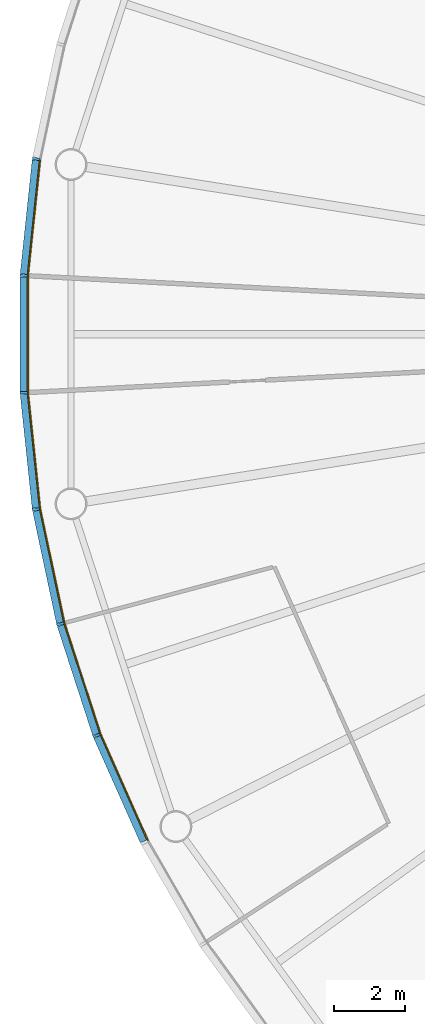
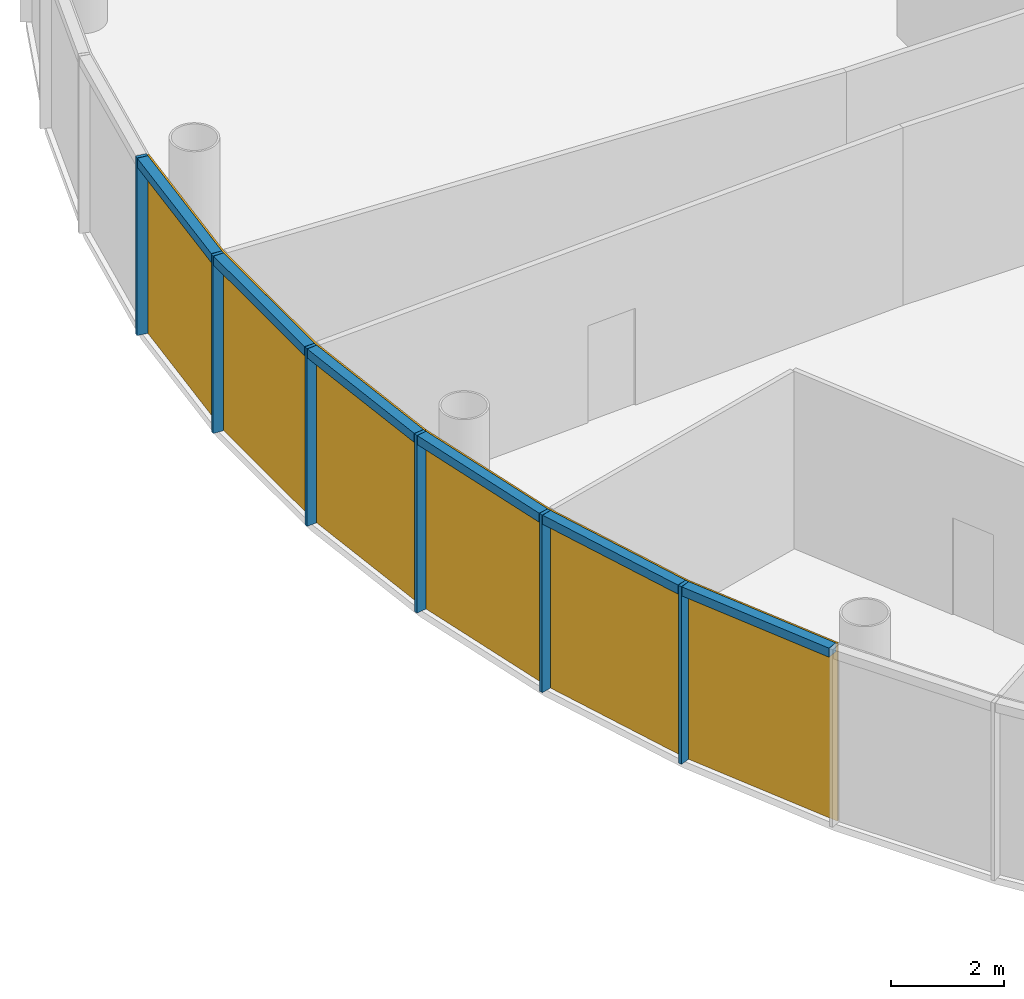
# One storey, part 8 of 13: 12 members, 2 curtain walls.
"""IFC4 building model written with IfcOpenShell, lengths in metres."""

import ifcopenshell
import ifcopenshell.guid

model = None  # the IFC model being written
_history = None  # IfcOwnerHistory: only IFC2X3 demands one
_inside = {}  # id of a spatial element -> (the spatial element, [elements in it])
_under = {}  # id of a project, library or spatial element -> (it, [spatial elements below it])
_declared = {}  # id of a project -> (the project, [libraries it declares])
_typed = {}  # id of a type object -> (the type object, [elements of that type])
_made_of = {}  # id of a material, layer set ... -> (it, [elements and type objects made of it])


def new_model(schema):
    """Start an empty IFC model of exactly this schema.

    Asked for "IFC4X3", IfcOpenShell would pick the latest addendum, in which some entities
    have other attributes; the version numbers below select the first issue.
    IFC2X3 requires an IfcOwnerHistory on every rooted entity: one is made here for all.
    """
    global model, _history
    if schema == "IFC4X3":
        model = ifcopenshell.file(schema_version=(4, 3, 0, 0))
    else:
        model = ifcopenshell.file(schema=schema)
    _inside.clear()
    _under.clear()
    _declared.clear()
    _typed.clear()
    _made_of.clear()
    _history = None
    if model.schema == "IFC2X3":
        org = make("IfcOrganization", Name="unknown")
        user = make(
            "IfcPersonAndOrganization",
            ThePerson=make("IfcPerson", FamilyName="unknown"),
            TheOrganization=org,
        )
        app = make(
            "IfcApplication",
            ApplicationDeveloper=org,
            Version="unknown",
            ApplicationFullName="unknown",
            ApplicationIdentifier="unknown",
        )
        _history = make(
            "IfcOwnerHistory",
            OwningUser=user,
            OwningApplication=app,
            ChangeAction="ADDED",
            CreationDate=0,
        )
    return model


def make(cls, **values):
    """One entity of the class cls with the attributes given. An attribute that is None is left unset."""
    return model.create_entity(
        cls, **{name: value for name, value in values.items() if value is not None}
    )


def rooted(cls, **values):
    """An entity with a GlobalId (a new one), such as an element, a storey or a relation."""
    return make(cls, GlobalId=ifcopenshell.guid.new(), OwnerHistory=_history, **values)


def si_unit(unit_type, name, prefix=None):
    """IfcSIUnit, for example si_unit("LENGTHUNIT", "METRE", prefix="MILLI")."""
    return make("IfcSIUnit", UnitType=unit_type, Prefix=prefix, Name=name)


def assignment(units):
    """IfcUnitAssignment: the units of a project."""
    return None if units is None else make("IfcUnitAssignment", Units=units)


def point(xyz):
    """IfcCartesianPoint."""
    return None if xyz is None else make("IfcCartesianPoint", Coordinates=xyz)


def direction(xyz):
    """IfcDirection."""
    return None if xyz is None else make("IfcDirection", DirectionRatios=xyz)


def frame(location, z_axis=None, x_axis=None):
    """IfcAxis2Placement3D, a coordinate frame: its origin and axes. An axis left out is left unset."""
    return make(
        "IfcAxis2Placement3D",
        Location=point(location),
        Axis=direction(z_axis),
        RefDirection=direction(x_axis),
    )


def frame_2d(location, x_axis=None):
    """IfcAxis2Placement2D, a coordinate frame in the plane: its origin and x axis."""
    return make(
        "IfcAxis2Placement2D", Location=point(location), RefDirection=direction(x_axis)
    )


def origin():
    """The frame at (0, 0, 0) with its axes left unset."""
    return frame((0.0, 0.0, 0.0))


def origin_2d():
    """The frame at (0, 0) in the plane with its x axis left unset."""
    return frame_2d((0.0, 0.0))


def place(relative_to, where):
    """IfcLocalPlacement: puts the frame where relative to a parent placement (None: the world)."""
    return make(
        "IfcLocalPlacement", PlacementRelTo=relative_to, RelativePlacement=where
    )


def context(
    kind, dimensions, precision=None, world=None, true_north=None, identifier=None
):
    """IfcGeometricRepresentationContext, for example the 3D "Model" context."""
    return make(
        "IfcGeometricRepresentationContext",
        ContextIdentifier=identifier,
        ContextType=kind,
        CoordinateSpaceDimension=dimensions,
        Precision=precision,
        WorldCoordinateSystem=world,
        TrueNorth=true_north,
    )


def subcontext(parent, identifier, kind, view, scale=None):
    """IfcGeometricRepresentationSubContext, for example "Body" below "Model"."""
    return make(
        "IfcGeometricRepresentationSubContext",
        ContextIdentifier=identifier,
        ContextType=kind,
        ParentContext=parent,
        TargetScale=scale,
        TargetView=view,
    )


def project(units=None, contexts=None):
    """IfcProject with its units and contexts."""
    return rooted(
        "IfcProject",
        Name="project",
        RepresentationContexts=contexts,
        UnitsInContext=assignment(units),
    )


def spatial(cls, under=None, at=None, **own):
    """A site, building, storey or space (cls), placed at a placement, below another one or the project."""
    s = rooted(cls, ObjectPlacement=at, **own)
    if under is not None:
        _under.setdefault(under.id(), (under, []))[1].append(s)
    return s


def polyline(points):
    """IfcPolyline through the points."""
    return make("IfcPolyline", Points=[point(p) for p in points])


def profile(cls, at=None, kind="AREA", **sizes):
    """A parametric profile (cls). Its sizes go by their IFC names, for example OverallWidth=200.0."""
    return make(cls, ProfileType=kind, Position=at, **sizes)


def rectangle(**sizes):
    """IfcRectangleProfileDef."""
    return profile("IfcRectangleProfileDef", **sizes)


def outline(outer, holes=None, kind="AREA"):
    """IfcArbitraryClosedProfileDef: a profile drawn as a closed curve; with holes, ...WithVoids."""
    if holes is None:
        return make("IfcArbitraryClosedProfileDef", ProfileType=kind, OuterCurve=outer)
    return make(
        "IfcArbitraryProfileDefWithVoids",
        ProfileType=kind,
        OuterCurve=outer,
        InnerCurves=holes,
    )


def extrude(swept, where, along, depth):
    """IfcExtrudedAreaSolid: the profile swept, set in the frame where, extruded along a direction by depth."""
    return make(
        "IfcExtrudedAreaSolid",
        SweptArea=swept,
        Position=where,
        ExtrudedDirection=direction(along),
        Depth=depth,
    )


def shape(context_of_items, identifier, shape_type, items):
    """IfcShapeRepresentation: the items that make up one representation, for example the "Body"."""
    return make(
        "IfcShapeRepresentation",
        ContextOfItems=context_of_items,
        RepresentationIdentifier=identifier,
        RepresentationType=shape_type,
        Items=items,
    )


def material(Name=None, Category=None):
    """IfcMaterial."""
    return make("IfcMaterial", Name=Name, Category=Category)


def layer(
    of_material, thickness, ventilated=None, Name=None, Category=None, Priority=None
):
    """IfcMaterialLayer: one layer of a wall or slab, of a material (None: an air gap)."""
    return make(
        "IfcMaterialLayer",
        Material=of_material,
        LayerThickness=thickness,
        IsVentilated=ventilated,
        Name=Name,
        Category=Category,
        Priority=Priority,
    )


def layer_set(layers, Name=None):
    """IfcMaterialLayerSet."""
    return make("IfcMaterialLayerSet", MaterialLayers=layers, LayerSetName=Name)


def material_profile(
    of_material, cross_section, Name=None, Category=None, Priority=None
):
    """IfcMaterialProfile: a cross section and its material."""
    return make(
        "IfcMaterialProfile",
        Name=Name,
        Material=of_material,
        Profile=cross_section,
        Priority=Priority,
        Category=Category,
    )


def profile_set(profiles, Name=None, composite=None):
    """IfcMaterialProfileSet."""
    return make(
        "IfcMaterialProfileSet",
        Name=Name,
        MaterialProfiles=profiles,
        CompositeProfile=composite,
    )


def made_of(thing, what):
    """Note that an element or type object is made of a material, layer set ...; save() writes the relation."""
    if what is not None:
        _made_of.setdefault(what.id(), (what, []))[1].append(thing)
    return thing


def type_object(cls, material=None, **own):
    """A type object (cls), such as IfcWallType, which elements share."""
    return made_of(rooted(cls, **own), material)


def element(
    cls,
    number,
    at=None,
    inside=None,
    cuts=None,
    type_object=None,
    material=None,
    context=None,
    identifier="Body",
    shape_type=None,
    held_by="IfcProductDefinitionShape",
    body=None,
    shapes=None,
    **own,
):
    """One element of the class cls, such as IfcWall. Its Tag is "e" and its number.

    at: its placement. inside: the storey or other place that contains it. cuts: it is an
    opening in that element (IfcRelVoidsElement). A single representation is given by context,
    identifier, shape_type and body (its items); several are given by shapes. held_by: the class
    of the entity that holds the representations. save() writes the other relations.
    """
    e = rooted(cls, Tag="e%d" % number, ObjectPlacement=at, **own)
    if body is not None:
        shapes = [shape(context, identifier, shape_type, body)]
    if shapes is not None:
        e.Representation = make(held_by, Representations=shapes)
    if inside is not None:
        _inside.setdefault(inside.id(), (inside, []))[1].append(e)
    if cuts is not None:
        rooted(
            "IfcRelVoidsElement", RelatingBuildingElement=cuts, RelatedOpeningElement=e
        )
    if type_object is not None:
        _typed.setdefault(type_object.id(), (type_object, []))[1].append(e)
    return made_of(e, material)


def aggregate(whole, parts):
    """IfcRelAggregates: a whole, such as a stair, and the parts it consists of."""
    return rooted("IfcRelAggregates", RelatingObject=whole, RelatedObjects=parts)


def save(model, path):
    """Write the relations noted so far, then the file.

    IfcRelAggregates (storeys below a building ...), IfcRelContainedInSpatialStructure (elements
    in a storey), IfcRelDefinesByType, IfcRelAssociatesMaterial and IfcRelDeclares: one each for
    every whole, place, type object, material and project.
    """
    for whole, parts in _under.values():
        aggregate(whole, parts)
    for where, things in _inside.values():
        rooted(
            "IfcRelContainedInSpatialStructure",
            RelatedElements=things,
            RelatingStructure=where,
        )
    for kind, things in _typed.values():
        rooted("IfcRelDefinesByType", RelatedObjects=things, RelatingType=kind)
    for what, things in _made_of.values():
        rooted("IfcRelAssociatesMaterial", RelatedObjects=things, RelatingMaterial=what)
    for by, libraries in _declared.values():
        rooted("IfcRelDeclares", RelatingContext=by, RelatedDefinitions=libraries)
    model.write(path)


model = new_model("IFC4")

# Units and contexts
model_context = context("Model", 3, precision=1e-05, world=origin(), true_north=direction((0.0, 1.0)))
body_context = subcontext(model_context, "Body", "Model", "MODEL_VIEW")
ifc_project = project(units=[si_unit("LENGTHUNIT", "METRE"), si_unit("AREAUNIT", "SQUARE_METRE"), si_unit("VOLUMEUNIT", "CUBIC_METRE"), si_unit("PLANEANGLEUNIT", "RADIAN"), si_unit("MASSUNIT", "GRAM", prefix="KILO")], contexts=[model_context])

# Member
ifc_material_1 = material(Name="Anodised aluminium", Category="aluminium")
ifc_material_profile_1 = material_profile(ifc_material_1, rectangle(XDim=0.070068359375, YDim=0.205078125, at=origin_2d()), Name="Mullion 70 x 205 mm anodised aluminium")
ifc_profile_set_1 = profile_set([ifc_material_profile_1], Name="Anodised aluminium")
member_type_1 = type_object("IfcMemberType", Name="Mullion 70 x 205 mm anodised aluminium", PredefinedType="MULLION", material=ifc_profile_set_1)
site_placement = place(None, origin())
building_placement = place(site_placement, origin())
storey_placement = place(building_placement, frame((0.0, 0.0, 376.0)))
member_1_placement = place(storey_placement, frame((58.78662109375, 84.943603515625, 0.0), z_axis=(0.0, 0.0, 1.0), x_axis=(-0.15643446504, -0.987688340595, 0.0)))
member_1 = element("IfcMember", 1, at=member_1_placement, type_object=member_type_1, Name="MULLION L87-27", PredefinedType="MULLION", context=body_context, shape_type="SweptSolid", body=[
    extrude(rectangle(XDim=0.070068359375, YDim=0.205078125, at=origin_2d()), origin(), (0.0, 0.0, 1.0), 3.85009765625),
])

member_2_placement = place(storey_placement, frame((58.44091796875, 81.654052734375, 0.0), z_axis=(0.0, 0.0, 1.0), x_axis=(-0.052335956243, -0.998629534755, 0.0)))
member_2 = element("IfcMember", 2, at=member_2_placement, type_object=member_type_1, Name="MULLION L87-28", PredefinedType="MULLION", context=body_context, shape_type="SweptSolid", body=[
    extrude(rectangle(XDim=0.070068359375, YDim=0.205078125, at=origin_2d()), origin(), (0.0, 0.0, 1.0), 3.85009765625),
])

member_3_placement = place(storey_placement, frame((58.44091796875, 78.345947265625, 0.0), z_axis=(0.0, 0.0, 1.0), x_axis=(0.052335956243, -0.998629534755, 0.0)))
member_3 = element("IfcMember", 3, at=member_3_placement, type_object=member_type_1, Name="MULLION L87-29", PredefinedType="MULLION", context=body_context, shape_type="SweptSolid", body=[
    extrude(rectangle(XDim=0.070068359375, YDim=0.205078125, at=origin_2d()), origin(), (0.0, 0.0, 1.0), 3.85009765625),
])

member_4_placement = place(storey_placement, frame((58.78662109375, 75.056396484375, 0.0), z_axis=(0.0, 0.0, 1.0), x_axis=(0.15643446504, -0.987688340595, 0.0)))
member_4 = element("IfcMember", 4, at=member_4_placement, type_object=member_type_1, Name="MULLION L87-30", PredefinedType="MULLION", context=body_context, shape_type="SweptSolid", body=[
    extrude(rectangle(XDim=0.070068359375, YDim=0.205078125, at=origin_2d()), origin(), (0.0, 0.0, 1.0), 3.85009765625),
])

member_5_placement = place(storey_placement, frame((59.474365234375, 71.820556640625, 0.0), z_axis=(0.0, 0.0, 1.0), x_axis=(0.258819045103, -0.965925826289, 0.0)))
member_5 = element("IfcMember", 5, at=member_5_placement, type_object=member_type_1, Name="MULLION L87-31", PredefinedType="MULLION", context=body_context, shape_type="SweptSolid", body=[
    extrude(rectangle(XDim=0.070068359375, YDim=0.205078125, at=origin_2d()), origin(), (0.0, 0.0, 1.0), 3.85009765625),
])

member_6_placement = place(storey_placement, frame((60.49658203125, 68.674560546875, 0.0), z_axis=(0.0, 0.0, 1.0), x_axis=(0.358367949545, -0.933580426497, 0.0)))
member_6 = element("IfcMember", 6, at=member_6_placement, type_object=member_type_1, Name="MULLION L87-32", PredefinedType="MULLION", context=body_context, shape_type="SweptSolid", body=[
    extrude(rectangle(XDim=0.070068359375, YDim=0.205078125, at=origin_2d()), origin(), (0.0, 0.0, 1.0), 3.85009765625),
])

ifc_material_2 = material(Name="Anodised aluminium", Category="aluminium")
ifc_material_profile_2 = material_profile(ifc_material_2, rectangle(XDim=0.205078125, YDim=0.195068359375, at=origin_2d()), Name="Transom 195 x 205 mm anodised aluminium")
ifc_profile_set_2 = profile_set([ifc_material_profile_2], Name="Anodised aluminium")
member_type_2 = type_object("IfcMemberType", Name="Transom 195 x 205 mm anodised aluminium", PredefinedType="USERDEFINED", material=ifc_profile_set_2)
member_7_placement = place(storey_placement, frame((58.7822265625, 84.903564453125, 3.75244140625), z_axis=(-0.104550890115, -0.994519537956, 0.0), x_axis=(0.994519537956, -0.104550890115, 0.0)))
member_7 = element("IfcMember", 7, at=member_7_placement, type_object=member_type_2, Name="TRANSOM L87-27", ObjectType="TRANSOM", PredefinedType="USERDEFINED", context=body_context, shape_type="SweptSolid", body=[
    extrude(rectangle(XDim=0.205078125, YDim=0.195068359375, at=origin_2d()), origin(), (0.0, 0.0, 1.0), 3.22705078125),
])

member_8_placement = place(storey_placement, frame((58.440673828125, 81.613525390625, 3.75244140625), z_axis=(0.0, -1.0, 0.0), x_axis=(1.0, 0.0, 0.0)))
member_8 = element("IfcMember", 8, at=member_8_placement, type_object=member_type_2, Name="TRANSOM L87-28", ObjectType="TRANSOM", PredefinedType="USERDEFINED", context=body_context, shape_type="SweptSolid", body=[
    extrude(rectangle(XDim=0.205078125, YDim=0.195068359375, at=origin_2d()), origin(), (0.0, 0.0, 1.0), 3.22705078125),
])

member_9_placement = place(storey_placement, frame((58.44482421875, 78.305908203125, 3.75244140625), z_axis=(0.104550890115, -0.994519537956, 0.0), x_axis=(0.994519537956, 0.104550890115, 0.0)))
member_9 = element("IfcMember", 9, at=member_9_placement, type_object=member_type_2, Name="TRANSOM L87-29", ObjectType="TRANSOM", PredefinedType="USERDEFINED", context=body_context, shape_type="SweptSolid", body=[
    extrude(rectangle(XDim=0.205078125, YDim=0.195068359375, at=origin_2d()), origin(), (0.0, 0.0, 1.0), 3.22705078125),
])

member_10_placement = place(storey_placement, frame((58.794921875, 75.016845703125, 3.75244140625), z_axis=(0.207885898771, -0.978153082647, 0.0), x_axis=(0.978153082647, 0.207885898771, 0.0)))
member_10 = element("IfcMember", 10, at=member_10_placement, type_object=member_type_2, Name="TRANSOM L87-30", ObjectType="TRANSOM", PredefinedType="USERDEFINED", context=body_context, shape_type="SweptSolid", body=[
    extrude(rectangle(XDim=0.205078125, YDim=0.195068359375, at=origin_2d()), origin(), (0.0, 0.0, 1.0), 3.227294921875),
])

member_11_placement = place(storey_placement, frame((59.486572265625, 71.7822265625, 3.75244140625), z_axis=(0.309046726844, -0.951046855117, 0.0), x_axis=(0.951046855117, 0.309046726844, 0.0)))
member_11 = element("IfcMember", 11, at=member_11_placement, type_object=member_type_2, Name="TRANSOM L87-31", ObjectType="TRANSOM", PredefinedType="USERDEFINED", context=body_context, shape_type="SweptSolid", body=[
    extrude(rectangle(XDim=0.205078125, YDim=0.195068359375, at=origin_2d()), origin(), (0.0, 0.0, 1.0), 3.22705078125),
])

member_12_placement = place(storey_placement, frame((60.5126953125, 68.6376953125, 3.75244140625), z_axis=(0.406791170024, -0.913521178731, 0.0), x_axis=(0.913521178731, 0.406791170024, 0.0)))
member_12 = element("IfcMember", 12, at=member_12_placement, type_object=member_type_2, Name="TRANSOM L87-32", ObjectType="TRANSOM", PredefinedType="USERDEFINED", context=body_context, shape_type="SweptSolid", body=[
    extrude(rectangle(XDim=0.205078125, YDim=0.195068359375, at=origin_2d()), origin(), (0.0, 0.0, 1.0), 3.22705078125),
])

# Site, building, storey
site = spatial("IfcSite", under=ifc_project, at=site_placement, CompositionType="ELEMENT")
building = spatial("IfcBuilding", under=site, at=building_placement, Name="Entoto Ring Tower", CompositionType="ELEMENT")
storey = spatial("IfcBuildingStorey", under=building, at=storey_placement, Name="L87", CompositionType="ELEMENT", Elevation=376.0)

# Curtain wall
ifc_material_3 = material(Name="Clear low-iron glass", Category="glass")
ifc_layer = layer(ifc_material_3, 0.035888671875)
ifc_layer_set = layer_set([ifc_layer], Name="Clear low-iron glass")
curtain_wall_type = type_object("IfcCurtainWallType", Name="Curtain wall system CW6 glazing 36 mm", PredefinedType="NOTDEFINED", material=ifc_layer_set)
curtain_wall_1_placement = place(storey_placement, origin())
curtain_wall_1 = element("IfcCurtainWall", 13, at=curtain_wall_1_placement, inside=storey, type_object=curtain_wall_type, Name="CW6 L87-10", PredefinedType="NOTDEFINED", context=body_context, shape_type="SweptSolid", body=[
    extrude(outline(polyline([(58.8876953125, 84.927734375), (58.543212890625, 81.648681640625), (58.543212890625, 78.351318359375), (58.8876953125, 75.072265625), (58.92333984375, 75.077880859375), (58.5791015625, 78.353271484375), (58.5791015625, 81.646728515625), (58.92333984375, 84.922119140625), (58.8876953125, 84.927734375)])), origin(), (0.0, 0.0, 1.0), 3.85009765625),
])

aggregate(curtain_wall_1, [member_1, member_2, member_3, member_7, member_8, member_9])

curtain_wall_2_placement = place(storey_placement, origin())
curtain_wall_2 = element("IfcCurtainWall", 14, at=curtain_wall_2_placement, inside=storey, type_object=curtain_wall_type, Name="CW6 L87-11", PredefinedType="NOTDEFINED", context=body_context, shape_type="SweptSolid", body=[
    extrude(outline(polyline([(58.8876953125, 75.072265625), (59.5732421875, 71.84716796875), (60.59228515625, 68.71142578125), (61.933349609375, 65.69921875), (61.96533203125, 65.715576171875), (60.6259765625, 68.724365234375), (59.608154296875, 71.8564453125), (58.92333984375, 75.077880859375), (58.8876953125, 75.072265625)])), origin(), (0.0, 0.0, 1.0), 3.85009765625),
])

aggregate(curtain_wall_2, [member_4, member_5, member_6, member_10, member_11, member_12])

save(model, "model.ifc")
